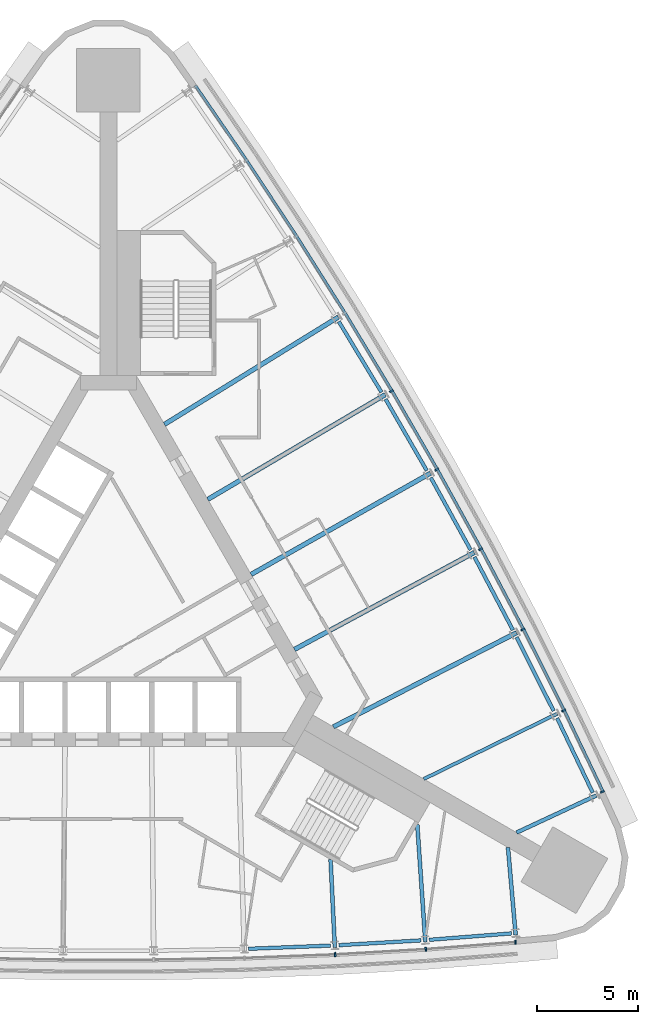
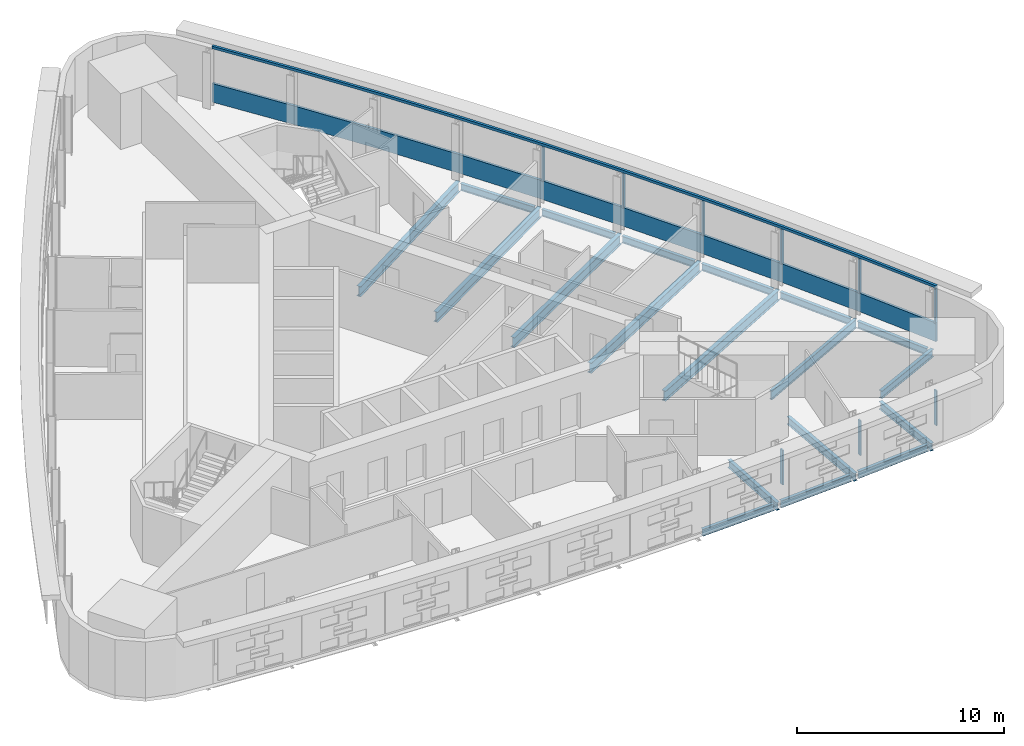
# One storey, part 5 of 13: 19 beams, 11 members, 2 elements without a shape of their own.
"""IFC4 building model written with IfcOpenShell, lengths in metres."""

from ifc_helpers import new_model, si_unit, direction, frame, origin, origin_2d, place, context, subcontext, project, spatial, polyline, rectangle, i_section, outline, extrude, material, material_profile, profile_set, type_object, element, aggregate, save


model = new_model("IFC4")

# Units and contexts
model_context = context("Model", 3, precision=1e-05, world=origin(), true_north=direction((0.0, 1.0)))
body_context = subcontext(model_context, "Body", "Model", "MODEL_VIEW")
ifc_project = project(units=[si_unit("LENGTHUNIT", "METRE"), si_unit("AREAUNIT", "SQUARE_METRE"), si_unit("VOLUMEUNIT", "CUBIC_METRE"), si_unit("PLANEANGLEUNIT", "RADIAN"), si_unit("MASSUNIT", "GRAM", prefix="KILO")], contexts=[model_context])

# Site, building, storey
site_placement = place(None, origin())
site = spatial("IfcSite", under=ifc_project, at=site_placement, CompositionType="ELEMENT")
building_placement = place(site_placement, origin())
building = spatial("IfcBuilding", under=site, at=building_placement, Name="Noor Cloister Tower", CompositionType="ELEMENT")
storey_placement = place(building_placement, frame((0.0, 0.0, 83.39990234375)))
storey = spatial("IfcBuildingStorey", under=building, at=storey_placement, Name="L21", CompositionType="ELEMENT", Elevation=83.39990234375)

# Curtain wall, member
ifc_material_1 = material(Name="Aluminium 6063-T6 anodised", Category="aluminium")
curtain_wall_type = type_object("IfcCurtainWallType", Name="Ribbon curtain wall, lower tower CW1", PredefinedType="NOTDEFINED", material=ifc_material_1)
curtain_wall_1_placement = place(storey_placement, origin())
curtain_wall_1 = element("IfcCurtainWall", 1, at=curtain_wall_1_placement, inside=storey, type_object=curtain_wall_type, Name="CW1 L21 NE run 3", PredefinedType="NOTDEFINED")
ifc_material_2 = material(Name="Aluminium 6063-T6 anodised", Category="aluminium")
member_type_1 = type_object("IfcMemberType", Name="Head transom CW1 150", PredefinedType="USERDEFINED", material=ifc_material_2)
member_1_placement = place(storey_placement, frame((0.0, 0.0, 3.150146484375)))
member_1 = element("IfcMember", 2, at=member_1_placement, type_object=member_type_1, Name="CW1 head transom", ObjectType="TRANSOM", PredefinedType="USERDEFINED", context=body_context, shape_type="SweptSolid", body=[
    extrude(outline(polyline([(24.58837890625, -9.15673828125), (22.648681640625, -5.09619140625), (20.630126953125, -1.074462890625), (18.53369140625, 2.9072265625), (16.360107421875, 6.847412109375), (14.110107421875, 10.744384765625), (11.78466796875, 14.596923828125), (9.384521484375, 18.4033203125), (6.910888671875, 22.162353515625), (4.3642578125, 25.87255859375), (4.248779296875, 25.793212890625), (6.794677734375, 22.084228515625), (9.266845703125, 18.32763671875), (11.66552734375, 14.5234375), (13.989501953125, 10.67333984375), (16.238037109375, 6.778564453125), (18.410400390625, 2.8408203125), (20.505615234375, -1.138427734375), (22.52294921875, -5.157958984375), (24.462158203125, -9.217041015625), (24.58837890625, -9.15673828125)])), origin(), (0.0, 0.0, 1.0), 0.14990234375),
])

# Curtain wall, members
curtain_wall_2_placement = place(storey_placement, origin())
curtain_wall_2 = element("IfcCurtainWall", 3, at=curtain_wall_2_placement, inside=storey, type_object=curtain_wall_type, Name="CW1 L21 S run 2", PredefinedType="NOTDEFINED")
ifc_material_3 = material(Name="Aluminium 6063-T6 anodised", Category="aluminium")
ifc_material_profile_1 = material_profile(ifc_material_3, rectangle(XDim=0.199951171875, YDim=0.080078125, at=origin_2d()), Name="200 x 80 mullion")
ifc_profile_set_1 = profile_set([ifc_material_profile_1], Name="Aluminium 6063-T6 anodised")
member_type_2 = type_object("IfcMemberType", Name="Mullion CW1 80 x 200", PredefinedType="MULLION", material=ifc_profile_set_1)
member_2_placement = place(storey_placement, frame((11.24072265625, -17.22900390625, 1.10009765625), z_axis=(0.0, 0.0, 1.0), x_axis=(-0.048680726574, 0.998814390595, 0.0)))
member_2 = element("IfcMember", 4, at=member_2_placement, type_object=member_type_2, Name="CW1 mullion 8", PredefinedType="MULLION", context=body_context, shape_type="SweptSolid", body=[
    extrude(rectangle(XDim=0.199951171875, YDim=0.080078125, at=origin_2d()), origin(), (0.0, 0.0, 1.0), 2.050048828125),
])
member_3_placement = place(storey_placement, frame((15.73095703125, -16.96630859375, 1.10009765625), z_axis=(0.0, 0.0, 1.0), x_axis=(-0.06812715055, 0.997676646694, 0.0)))
member_3 = element("IfcMember", 5, at=member_3_placement, type_object=member_type_2, Name="CW1 mullion 9", PredefinedType="MULLION", context=body_context, shape_type="SweptSolid", body=[
    extrude(rectangle(XDim=0.199951171875, YDim=0.080078125, at=origin_2d()), origin(), (0.0, 0.0, 1.0), 2.050048828125),
])
member_4_placement = place(storey_placement, frame((20.176513671875, -16.619384765625, 1.10009765625), z_axis=(0.0, 0.0, 1.0), x_axis=(-0.077841137813, 0.996965775372, 0.0)))
member_4 = element("IfcMember", 6, at=member_4_placement, type_object=member_type_2, Name="CW1 mullion 10", PredefinedType="MULLION", context=body_context, shape_type="SweptSolid", body=[
    extrude(rectangle(XDim=0.199951171875, YDim=0.080078125, at=origin_2d()), origin(), (0.0, 0.0, 1.0), 2.050048828125),
])
aggregate(curtain_wall_2, [member_2, member_3, member_4])

# Member
member_5_placement = place(storey_placement, frame((24.48095703125, -9.16357421875, 1.10009765625), z_axis=(0.0, 0.0, 1.0), x_axis=(-0.902318257083, -0.431070484881, 0.0)))
member_5 = element("IfcMember", 7, at=member_5_placement, type_object=member_type_2, Name="CW1 mullion 1", PredefinedType="MULLION", context=body_context, shape_type="SweptSolid", body=[
    extrude(rectangle(XDim=0.199951171875, YDim=0.080078125, at=origin_2d()), origin(), (0.0, 0.0, 1.0), 2.050048828125),
])

member_6_placement = place(storey_placement, frame((22.558837890625, -5.14013671875, 1.10009765625), z_axis=(0.0, 0.0, 1.0), x_axis=(-0.898076896074, -0.439838480283, 0.0)))
member_6 = element("IfcMember", 8, at=member_6_placement, type_object=member_type_2, Name="CW1 mullion 2", PredefinedType="MULLION", context=body_context, shape_type="SweptSolid", body=[
    extrude(rectangle(XDim=0.199951171875, YDim=0.080078125, at=origin_2d()), origin(), (0.0, 0.0, 1.0), 2.050048828125),
])

member_7_placement = place(storey_placement, frame((20.541259765625, -1.1201171875, 1.10009765625), z_axis=(0.0, 0.0, 1.0), x_axis=(-0.889338999208, -0.45724844941, 0.0)))
member_7 = element("IfcMember", 9, at=member_7_placement, type_object=member_type_2, Name="CW1 mullion 3", PredefinedType="MULLION", context=body_context, shape_type="SweptSolid", body=[
    extrude(rectangle(XDim=0.199951171875, YDim=0.080078125, at=origin_2d()), origin(), (0.0, 0.0, 1.0), 2.050048828125),
])

member_8_placement = place(storey_placement, frame((18.445556640625, 2.85986328125, 1.10009765625), z_axis=(0.0, 0.0, 1.0), x_axis=(-0.880263635662, -0.474484912016, 0.0)))
member_8 = element("IfcMember", 10, at=member_8_placement, type_object=member_type_2, Name="CW1 mullion 4", PredefinedType="MULLION", context=body_context, shape_type="SweptSolid", body=[
    extrude(rectangle(XDim=0.199951171875, YDim=0.080078125, at=origin_2d()), origin(), (0.0, 0.0, 1.0), 2.050048828125),
])

member_9_placement = place(storey_placement, frame((16.27294921875, 6.79833984375, 1.10009765625), z_axis=(0.0, 0.0, 1.0), x_axis=(-0.870854249156, -0.491541327589, 0.0)))
member_9 = element("IfcMember", 11, at=member_9_placement, type_object=member_type_2, Name="CW1 mullion 5", PredefinedType="MULLION", context=body_context, shape_type="SweptSolid", body=[
    extrude(rectangle(XDim=0.199951171875, YDim=0.080078125, at=origin_2d()), origin(), (0.0, 0.0, 1.0), 2.050048828125),
])

member_10_placement = place(storey_placement, frame((14.02392578125, 10.693603515625, 1.10009765625), z_axis=(0.0, 0.0, 1.0), x_axis=(-0.86111440128, -0.508411238968, 0.0)))
member_10 = element("IfcMember", 12, at=member_10_placement, type_object=member_type_2, Name="CW1 mullion 6", PredefinedType="MULLION", context=body_context, shape_type="SweptSolid", body=[
    extrude(rectangle(XDim=0.199951171875, YDim=0.080078125, at=origin_2d()), origin(), (0.0, 0.0, 1.0), 2.050048828125),
])

# Beams
ifc_material_4 = material(Name="Steel ASTM A992 Gr 50", Category="steel")
ifc_material_profile_2 = material_profile(ifc_material_4, i_section(OverallWidth=0.19091796875, OverallDepth=0.45703125, WebThickness=0.009033203125, FlangeThickness=0.014404296875, FilletRadius=0.01025390625, at=origin_2d()), Name="W460x74")
ifc_profile_set_2 = profile_set([ifc_material_profile_2], Name="Steel ASTM A992 Gr 50")
beam_type_1 = type_object("IfcBeamType", Name="Radial beam W460x74", PredefinedType="BEAM", material=ifc_profile_set_2)
beam_1_placement = place(storey_placement, frame((11.223388671875, -16.87646484375, -0.428466796875), z_axis=(-0.048678986812, 0.998814475387, 0.0), x_axis=(-0.998814475387, -0.048678986812, 0.0)))
element("IfcBeam", 13, at=beam_1_placement, inside=storey, type_object=beam_type_1, Name="Radial beam S 08 L21", PredefinedType="BEAM", context=body_context, shape_type="SweptSolid", body=[
    extrude(i_section(OverallWidth=0.19091796875, OverallDepth=0.45703125, WebThickness=0.009033203125, FlangeThickness=0.014404296875, FilletRadius=0.01025390625, at=origin_2d()), origin(), (0.0, 0.0, 1.0), 4.36328125),
])
beam_2_placement = place(storey_placement, frame((15.70703125, -16.6142578125, -0.428466796875), z_axis=(-0.068149836713, 0.997675097292, 0.0), x_axis=(-0.997675097292, -0.068149836713, 0.0)))
element("IfcBeam", 14, at=beam_2_placement, inside=storey, type_object=beam_type_1, Name="Radial beam S 09 L21", PredefinedType="BEAM", context=body_context, shape_type="SweptSolid", body=[
    extrude(i_section(OverallWidth=0.19091796875, OverallDepth=0.45703125, WebThickness=0.009033203125, FlangeThickness=0.014404296875, FilletRadius=0.01025390625, at=origin_2d()), origin(), (0.0, 0.0, 1.0), 5.832275390625),
])
for number, where, z_axis, x_axis, name in (
    (15, (20.184326171875, -16.2646484375, -0.428466796875), (-0.087519338878, 0.996162820689, 0.0), (-0.996162820689, -0.087519338878, 0.0), "Radial beam S 10 L21"),
    (16, (24.177734375, -9.347900390625, -0.428466796875), (-0.906477800854, -0.422253474301, 0.0), (0.422253474301, -0.906477800854, 0.0), "Radial beam NE 01 L21"),
):
    element("IfcBeam", number, at=place(storey_placement, frame(where, z_axis=z_axis, x_axis=x_axis)), inside=storey, type_object=beam_type_1, Name=name, PredefinedType="BEAM", context=body_context, shape_type="SweptSolid", body=[
        extrude(i_section(OverallWidth=0.19091796875, OverallDepth=0.45703125, WebThickness=0.009033203125, FlangeThickness=0.014404296875, FilletRadius=0.01025390625, at=origin_2d()), origin(), (0.0, 0.0, 1.0), 4.357177734375),
    ])
ifc_material_5 = material(Name="Steel ASTM A992 Gr 50", Category="steel")
ifc_material_profile_3 = material_profile(ifc_material_5, i_section(OverallWidth=0.166015625, OverallDepth=0.528076171875, WebThickness=0.009765625, FlangeThickness=0.013671875, FilletRadius=0.0126953125, at=origin_2d()), Name="W530x74")
ifc_profile_set_3 = profile_set([ifc_material_profile_3], Name="Steel ASTM A992 Gr 50")
beam_type_2 = type_object("IfcBeamType", Name="Radial beam W530x74", PredefinedType="BEAM", material=ifc_profile_set_3)
beam_3_placement = place(storey_placement, frame((22.24169921875, -5.29541015625, -0.4638671875), z_axis=(-0.898071530651, -0.439849435414, 0.0), x_axis=(0.439849435414, -0.898071530651, 0.0)))
element("IfcBeam", 17, at=beam_3_placement, inside=storey, type_object=beam_type_2, Name="Radial beam NE 02 L21", PredefinedType="BEAM", context=body_context, shape_type="SweptSolid", body=[
    extrude(i_section(OverallWidth=0.166015625, OverallDepth=0.528076171875, WebThickness=0.009765625, FlangeThickness=0.013671875, FilletRadius=0.0126953125, at=origin_2d()), origin(), (0.0, 0.0, 1.0), 7.36181640625),
])
ifc_material_6 = material(Name="Steel ASTM A992 Gr 50", Category="steel")
ifc_material_profile_4 = material_profile(ifc_material_6, i_section(OverallWidth=0.22802734375, OverallDepth=0.60205078125, WebThickness=0.010498046875, FlangeThickness=0.014892578125, FilletRadius=0.0126953125, at=origin_2d()), Name="W610x101")
ifc_profile_set_4 = profile_set([ifc_material_profile_4], Name="Steel ASTM A992 Gr 50")
beam_type_3 = type_object("IfcBeamType", Name="Radial beam W610x101", PredefinedType="BEAM", material=ifc_profile_set_4)
beam_4_placement = place(storey_placement, frame((20.227294921875, -1.281494140625, -0.5009765625), z_axis=(-0.889337003552, -0.4572523309, 0.0), x_axis=(0.4572523309, -0.889337003552, 0.0)))
element("IfcBeam", 18, at=beam_4_placement, inside=storey, type_object=beam_type_3, Name="Radial beam NE 03 L21", PredefinedType="BEAM", context=body_context, shape_type="SweptSolid", body=[
    extrude(i_section(OverallWidth=0.22802734375, OverallDepth=0.60205078125, WebThickness=0.010498046875, FlangeThickness=0.014892578125, FilletRadius=0.0126953125, at=origin_2d()), origin(), (0.0, 0.0, 1.0), 10.205078125),
])
beam_5_placement = place(storey_placement, frame((18.134765625, 2.6923828125, -0.5009765625), z_axis=(-0.880258916422, -0.474493667039, 0.0), x_axis=(0.474493667039, -0.880258916422, 0.0)))
element("IfcBeam", 19, at=beam_5_placement, inside=storey, type_object=beam_type_3, Name="Radial beam NE 04 L21", PredefinedType="BEAM", context=body_context, shape_type="SweptSolid", body=[
    extrude(i_section(OverallWidth=0.22802734375, OverallDepth=0.60205078125, WebThickness=0.010498046875, FlangeThickness=0.014892578125, FilletRadius=0.0126953125, at=origin_2d()), origin(), (0.0, 0.0, 1.0), 10.12744140625),
])
beam_6_placement = place(storey_placement, frame((15.965576171875, 6.624755859375, -0.5009765625), z_axis=(-0.870854352665, -0.491541144203, 0.0), x_axis=(0.491541144203, -0.870854352665, 0.0)))
element("IfcBeam", 20, at=beam_6_placement, inside=storey, type_object=beam_type_3, Name="Radial beam NE 05 L21", PredefinedType="BEAM", context=body_context, shape_type="SweptSolid", body=[
    extrude(i_section(OverallWidth=0.22802734375, OverallDepth=0.60205078125, WebThickness=0.010498046875, FlangeThickness=0.014892578125, FilletRadius=0.0126953125, at=origin_2d()), origin(), (0.0, 0.0, 1.0), 10.21142578125),
])
beam_7_placement = place(storey_placement, frame((13.719970703125, 10.51416015625, -0.5009765625), z_axis=(-0.861116863464, -0.508407068655, 0.0), x_axis=(0.508407068655, -0.861116863464, 0.0)))
element("IfcBeam", 21, at=beam_7_placement, inside=storey, type_object=beam_type_3, Name="Radial beam NE 06 L21", PredefinedType="BEAM", context=body_context, shape_type="SweptSolid", body=[
    extrude(i_section(OverallWidth=0.22802734375, OverallDepth=0.60205078125, WebThickness=0.010498046875, FlangeThickness=0.014892578125, FilletRadius=0.0126953125, at=origin_2d()), origin(), (0.0, 0.0, 1.0), 10.211181640625),
])
beam_8_placement = place(storey_placement, frame((11.399169921875, 14.359130859375, -0.5009765625), z_axis=(-0.851050223373, -0.52508429542, 0.0), x_axis=(0.52508429542, -0.851050223373, 0.0)))
element("IfcBeam", 22, at=beam_8_placement, inside=storey, type_object=beam_type_3, Name="Radial beam NE 07 L21", PredefinedType="BEAM", context=body_context, shape_type="SweptSolid", body=[
    extrude(i_section(OverallWidth=0.22802734375, OverallDepth=0.60205078125, WebThickness=0.010498046875, FlangeThickness=0.014892578125, FilletRadius=0.0126953125, at=origin_2d()), origin(), (0.0, 0.0, 1.0), 10.127685546875),
])

# Member
ifc_material_7 = material(Name="Aluminium 6063-T6 anodised", Category="aluminium")
member_type_3 = type_object("IfcMemberType", Name="Sill transom CW1 1100", PredefinedType="USERDEFINED", material=ifc_material_7)
member_11_placement = place(storey_placement, origin())
member_11 = element("IfcMember", 23, at=member_11_placement, type_object=member_type_3, Name="CW1 sill transom", ObjectType="TRANSOM", PredefinedType="USERDEFINED", context=body_context, shape_type="SweptSolid", body=[
    extrude(outline(polyline([(24.58837890625, -9.15673828125), (22.648681640625, -5.09619140625), (20.630126953125, -1.074462890625), (18.53369140625, 2.9072265625), (16.360107421875, 6.847412109375), (14.110107421875, 10.744384765625), (11.78466796875, 14.596923828125), (9.384521484375, 18.4033203125), (6.910888671875, 22.162353515625), (4.3642578125, 25.87255859375), (4.248779296875, 25.793212890625), (6.794677734375, 22.084228515625), (9.266845703125, 18.32763671875), (11.66552734375, 14.5234375), (13.989501953125, 10.67333984375), (16.238037109375, 6.778564453125), (18.410400390625, 2.8408203125), (20.505615234375, -1.138427734375), (22.52294921875, -5.157958984375), (24.462158203125, -9.217041015625), (24.58837890625, -9.15673828125)])), origin(), (0.0, 0.0, 1.0), 1.10009765625),
])

aggregate(curtain_wall_1, [member_5, member_6, member_7, member_8, member_9, member_10, member_11, member_1])

# Beams
ifc_material_8 = material(Name="Steel ASTM A992 Gr 50", Category="steel")
ifc_material_profile_5 = material_profile(ifc_material_8, i_section(OverallWidth=0.177978515625, OverallDepth=0.406005859375, WebThickness=0.0078125, FlangeThickness=0.0126953125, FilletRadius=0.01025390625, at=origin_2d()), Name="W410x60")
ifc_profile_set_5 = profile_set([ifc_material_profile_5], Name="Steel ASTM A992 Gr 50")
beam_type_4 = type_object("IfcBeamType", Name="Spandrel beam W410x60", PredefinedType="SPANDREL", material=ifc_profile_set_5)
beam_9_placement = place(storey_placement, frame((6.934814453125, -16.946533203125, -0.40283203125), z_axis=(0.999240552609, 0.038965600496, 0.0), x_axis=(-0.038965600496, 0.999240552609, 0.0)))
element("IfcBeam", 24, at=beam_9_placement, inside=storey, type_object=beam_type_4, Name="Spandrel beam S 07 L21", PredefinedType="SPANDREL", context=body_context, shape_type="SweptSolid", body=[
    extrude(i_section(OverallWidth=0.177978515625, OverallDepth=0.406005859375, WebThickness=0.0078125, FlangeThickness=0.0126953125, FilletRadius=0.01025390625, at=origin_2d()), origin(), (0.0, 0.0, 1.0), 4.085205078125),
])
for number, where, z_axis, x_axis, name in (
    (25, (11.42041015625, -16.767822265625, -0.40283203125), (0.998294099213, 0.058385712956, 0.0), (-0.058385712956, 0.998294099213, 0.0), "Spandrel beam S 08 L21"),
    (26, (15.901611328125, -16.501708984375, -0.40283203125), (0.996963808754, 0.077866321573, 0.0), (-0.077866321573, 0.996963808754, 0.0), "Spandrel beam S 09 L21"),
):
    element("IfcBeam", number, at=place(storey_placement, frame(where, z_axis=z_axis, x_axis=x_axis)), inside=storey, type_object=beam_type_4, Name=name, PredefinedType="SPANDREL", context=body_context, shape_type="SweptSolid", body=[
        extrude(i_section(OverallWidth=0.177978515625, OverallDepth=0.406005859375, WebThickness=0.0078125, FlangeThickness=0.0126953125, FilletRadius=0.01025390625, at=origin_2d()), origin(), (0.0, 0.0, 1.0), 4.08544921875),
    ])
for number, where, z_axis, x_axis, name in (
    (27, (24.002685546875, -9.20654296875, -0.40283203125), (-0.43107692405, 0.902315180827, 0.0), (-0.902315180827, -0.43107692405, 0.0), "Spandrel beam NE 01 L21"),
    (28, (22.06396484375, -5.15771484375, -0.40283203125), (-0.448575656489, 0.893744863149, 0.0), (-0.893744863149, -0.448575656489, 0.0), "Spandrel beam NE 02 L21"),
    (29, (20.046875, -1.147216796875, -0.40283203125), (-0.465904062136, 0.884835241661, 0.0), (-0.884835241661, -0.465904062136, 0.0), "Spandrel beam NE 03 L21"),
    (30, (17.951904296875, 2.8232421875, -0.40283203125), (-0.483063123974, 0.875585528807, 0.0), (-0.875585528807, -0.483063123974, 0.0), "Spandrel beam NE 04 L21"),
    (31, (15.780029296875, 6.751953125, -0.40283203125), (-0.500027665724, 0.866009430382, 0.0), (-0.866009430382, -0.500027665724, 0.0), "Spandrel beam NE 05 L21"),
    (32, (13.531982421875, 10.6376953125, -0.40283203125), (-0.516752581522, 0.856134784652, 0.0), (-0.856134784652, -0.516752581522, 0.0), "Spandrel beam NE 06 L21"),
):
    element("IfcBeam", number, at=place(storey_placement, frame(where, z_axis=z_axis, x_axis=x_axis)), inside=storey, type_object=beam_type_4, Name=name, PredefinedType="SPANDREL", context=body_context, shape_type="SweptSolid", body=[
        extrude(i_section(OverallWidth=0.177978515625, OverallDepth=0.406005859375, WebThickness=0.0078125, FlangeThickness=0.0126953125, FilletRadius=0.01025390625, at=origin_2d()), origin(), (0.0, 0.0, 1.0), 4.085205078125),
    ])

save(model, "model.ifc")
